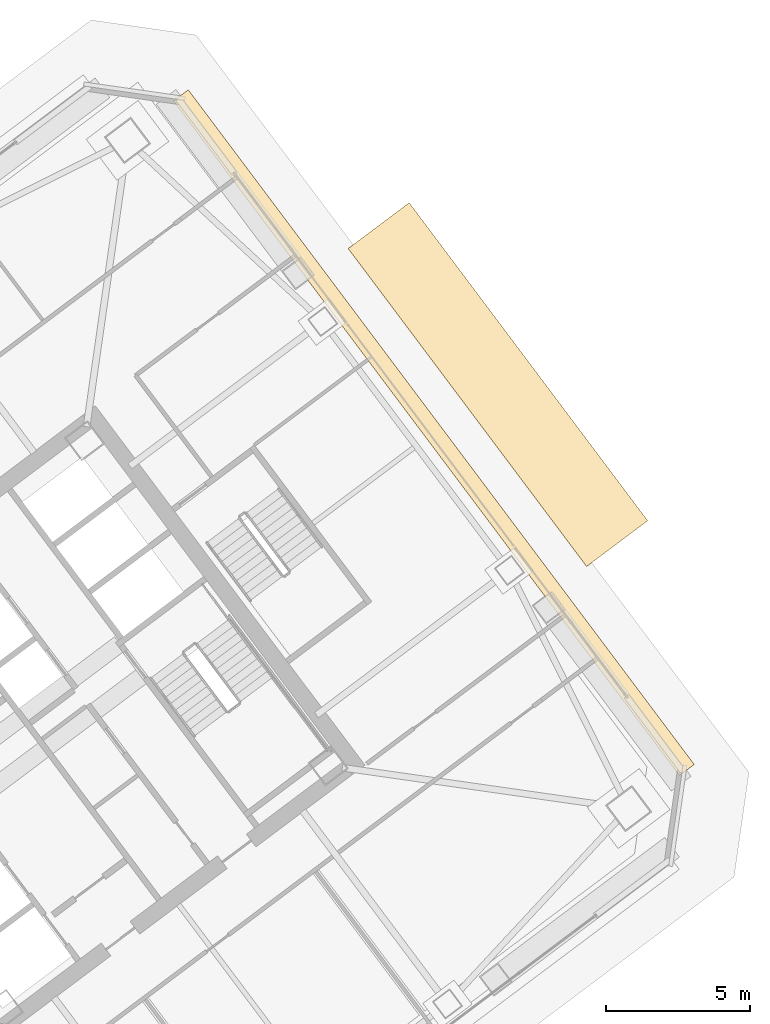
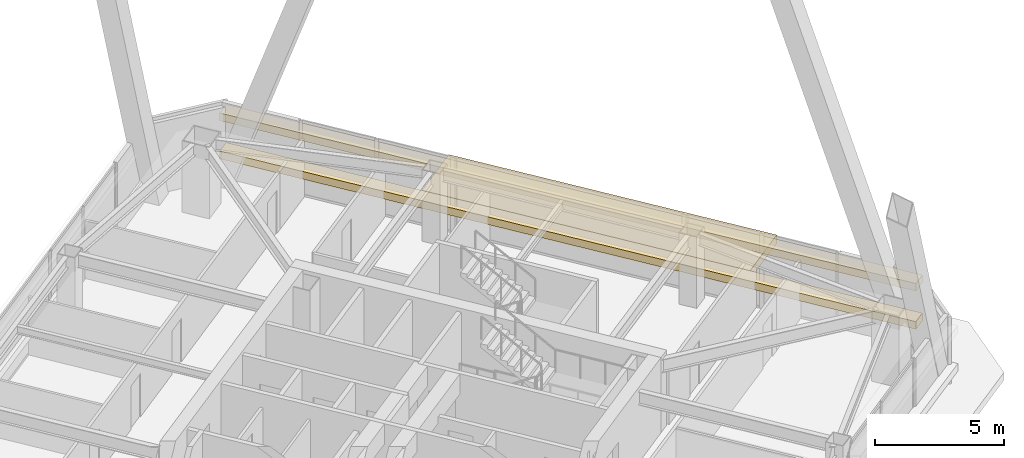
# One storey, part 65 of 65: 3 coverings.
"""IFC4 building model written with IfcOpenShell, lengths in metres."""

from ifc_helpers import new_model, si_unit, direction, frame, origin, origin_2d, place, context, subcontext, project, spatial, rectangle, extrude, material, layer, layer_set, type_object, element, save


model = new_model("IFC4")

# Units and contexts
model_context = context("Model", 3, precision=1e-05, world=origin(), true_north=direction((0.0, 1.0)))
body_context = subcontext(model_context, "Body", "Model", "MODEL_VIEW")
ifc_project = project(units=[si_unit("LENGTHUNIT", "METRE"), si_unit("AREAUNIT", "SQUARE_METRE"), si_unit("VOLUMEUNIT", "CUBIC_METRE"), si_unit("PLANEANGLEUNIT", "RADIAN"), si_unit("MASSUNIT", "GRAM", prefix="KILO")], contexts=[model_context])

# Site, building, storey
site_placement = place(None, origin())
site = spatial("IfcSite", under=ifc_project, at=site_placement, CompositionType="ELEMENT")
building_placement = place(site_placement, origin())
building = spatial("IfcBuilding", under=site, at=building_placement, Name="Tashvorn Skyway Center", CompositionType="ELEMENT")
storey_placement = place(building_placement, frame((0.0, 0.0, 157.0)))
storey = spatial("IfcBuildingStorey", under=building, at=storey_placement, Name="L42", CompositionType="ELEMENT", Elevation=157.0)

# Coverings
ifc_material_1 = material(Name="Perforated ceramic-coated bronze aluminium solar screen", Category="aluminium")
ifc_layer_1 = layer(ifc_material_1, 0.85009765625)
ifc_layer_set_1 = layer_set([ifc_layer_1], Name="Perforated ceramic-coated bronze aluminium solar screen")
covering_type_1 = type_object("IfcCoveringType", Name="COV-SOLAR-BAND", PredefinedType="CLADDING", material=ifc_layer_set_1)
for number, where, z_axis, x_axis, name in (
    (1, (127.535888671875, 42.152099609375, 0.919921875), (0.0, 0.0, 1.0), (0.600000004945, -0.799999996291, 0.0), "L42 Perforated Ceramic-Metal Solar Screen Louvre Band East 1"),
    (2, (127.535888671875, 42.152099609375, 2.7197265625), (0.0, 0.0, 1.0), (0.600000004945, -0.799999996291, 0.0), "L42 Perforated Ceramic-Metal Solar Screen Louvre Band East 2"),
):
    element("IfcCovering", number, at=place(storey_placement, frame(where, z_axis=z_axis, x_axis=x_axis)), inside=storey, type_object=covering_type_1, Name=name, PredefinedType="CLADDING", context=body_context, shape_type="SweptSolid", body=[
        extrude(rectangle(XDim=29.280029296875, YDim=0.639892578125, at=origin_2d()), origin(), (0.0, 0.0, 1.0), 0.360107421875),
    ])
ifc_material_2 = material(Name="Precast concrete C40/50", Category="concrete")
ifc_layer_2 = layer(ifc_material_2, 0.35009765625)
ifc_layer_set_2 = layer_set([ifc_layer_2], Name="Precast concrete C40/50")
covering_type_2 = type_object("IfcCoveringType", Name="COV-STONE-TRIM", PredefinedType="CLADDING", material=ifc_layer_set_2)
covering_placement = place(storey_placement, frame((129.760009765625, 43.820068359375, 0.0), z_axis=(0.0, 0.0, 1.0), x_axis=(0.600000004945, -0.799999996291, 0.0)))
element("IfcCovering", 3, at=covering_placement, inside=storey, type_object=covering_type_2, Name="Tower 2 L41 Sky Garden Terracotta Canopy Hood", PredefinedType="CLADDING", context=body_context, shape_type="SweptSolid", body=[
    extrude(rectangle(XDim=13.800048828125, YDim=2.64990234375, at=origin_2d()), origin(), (0.0, 0.0, 1.0), 0.39990234375),
])

save(model, "model.ifc")
